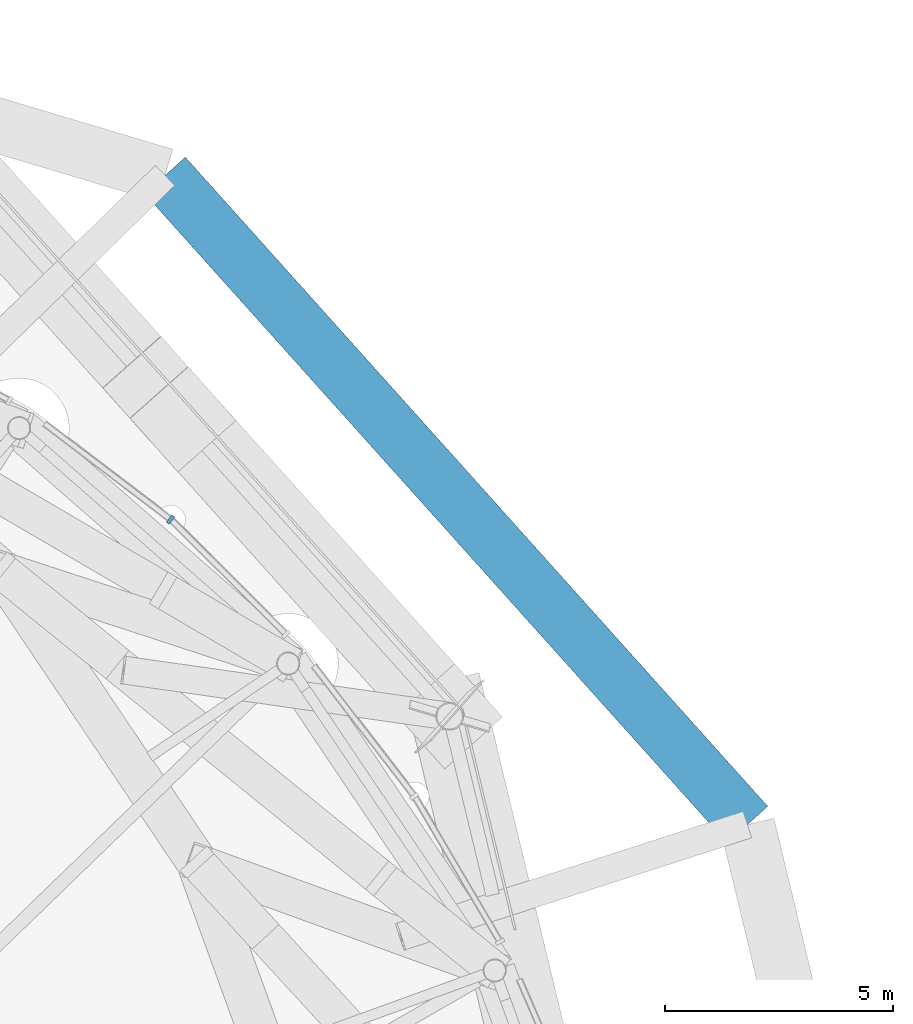
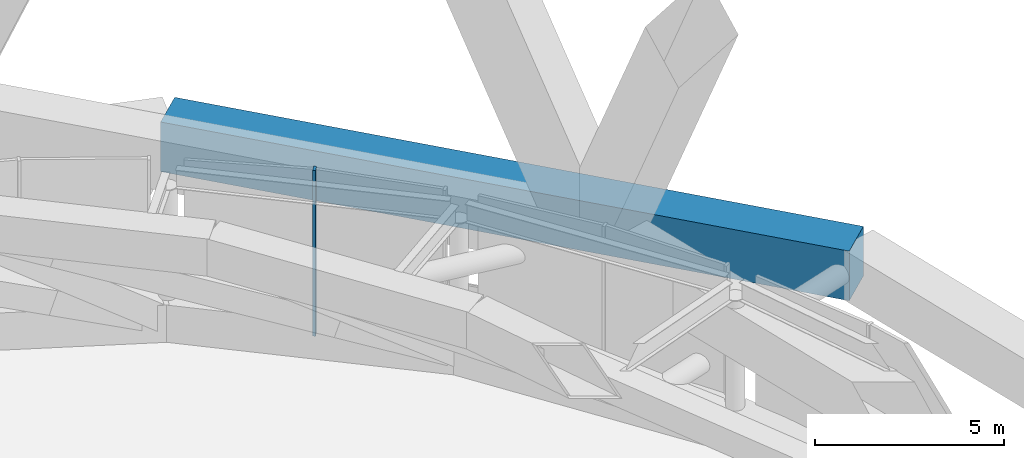
# One storey, part 23 of 51: 2 members, 1 element without a shape of its own.
"""IFC4 building model written with IfcOpenShell, lengths in metres."""

from ifc_helpers import new_model, si_unit, direction, frame, origin, origin_2d, place, context, subcontext, project, spatial, rectangle, extrude, material, layer, layer_set, material_profile, profile_set, type_object, element, aggregate, save


model = new_model("IFC4")

# Units and contexts
model_context = context("Model", 3, precision=1e-05, world=origin(), true_north=direction((0.0, 1.0)))
body_context = subcontext(model_context, "Body", "Model", "MODEL_VIEW")
ifc_project = project(units=[si_unit("LENGTHUNIT", "METRE"), si_unit("AREAUNIT", "SQUARE_METRE"), si_unit("VOLUMEUNIT", "CUBIC_METRE"), si_unit("PLANEANGLEUNIT", "RADIAN"), si_unit("MASSUNIT", "GRAM", prefix="KILO")], contexts=[model_context])

# Site, building, storey
site_placement = place(None, origin())
site = spatial("IfcSite", under=ifc_project, at=site_placement, CompositionType="ELEMENT")
building_placement = place(site_placement, origin())
building = spatial("IfcBuilding", under=site, at=building_placement, Name="Nagisa Residences", CompositionType="ELEMENT")
storey_placement = place(building_placement, frame((0.0, 0.0, 67.699951171875)))
storey = spatial("IfcBuildingStorey", under=building, at=storey_placement, Name="L16", CompositionType="ELEMENT", Elevation=67.699951171875)

# Curtain wall, member
ifc_material_1 = material(Name="Aluminium curtain wall system", Category="aluminium")
ifc_layer = layer(ifc_material_1, 0.159912109375)
ifc_layer_set = layer_set([ifc_layer], Name="CW2 CURTAIN WALL")
curtain_wall_type = type_object("IfcCurtainWallType", Name="CW2 CURTAIN WALL", PredefinedType="NOTDEFINED", material=ifc_layer_set)
curtain_wall_placement = place(storey_placement, origin())
curtain_wall = element("IfcCurtainWall", 1, at=curtain_wall_placement, inside=storey, type_object=curtain_wall_type, Name="cw:CW2:L16:07", PredefinedType="NOTDEFINED")
ifc_material_2 = material(Name="Aluminium", Category="aluminium")
ifc_material_profile_1 = material_profile(ifc_material_2, rectangle(XDim=0.199951171875, YDim=0.080078125, at=origin_2d()), Name="CW2 MULLION 200x80")
ifc_profile_set_1 = profile_set([ifc_material_profile_1], Name="Aluminium")
member_type_1 = type_object("IfcMemberType", Name="CW2 MULLION 200x80", PredefinedType="MULLION", material=ifc_profile_set_1)
member_1_placement = place(storey_placement, frame((21.173828125, 26.14111328125, 0.0), z_axis=(0.0, 0.0, 1.0), x_axis=(-0.605255421737, -0.79603132756, 0.0)))
member_1 = element("IfcMember", 2, at=member_1_placement, type_object=member_type_1, Name="CW2 mullion", PredefinedType="MULLION", context=body_context, shape_type="SweptSolid", body=[
    extrude(rectangle(XDim=0.199951171875, YDim=0.080078125, at=origin_2d()), origin(), (0.0, 0.0, 1.0), 5.340087890625),
])
aggregate(curtain_wall, [member_1])

# Member
ifc_material_3 = material(Name="Concrete C80", Category="concrete")
ifc_material_profile_2 = material_profile(ifc_material_3, rectangle(XDim=1.199951171875, YDim=1.60009765625, at=origin_2d()), Name="C80 1200x1600")
ifc_profile_set_2 = profile_set([ifc_material_profile_2], Name="Concrete C80")
member_type_2 = type_object("IfcMemberType", Name="Cage ring 1 C80 1200x1600", PredefinedType="CHORD", material=ifc_profile_set_2)
member_2_placement = place(storey_placement, frame((33.82421875, 19.449951171875, 1.900146484375), z_axis=(-0.66779408663, 0.744346060554, 0.0), x_axis=(-0.744346060554, -0.66779408663, 0.0)))
element("IfcMember", 3, at=member_2_placement, inside=storey, type_object=member_type_2, Name="beam:L16:cg1r202", PredefinedType="CHORD", context=body_context, shape_type="SweptSolid", body=[
    extrude(rectangle(XDim=1.199951171875, YDim=1.60009765625, at=origin_2d()), origin(), (0.0, 0.0, 1.0), 19.12890625),
])

save(model, "model.ifc")
